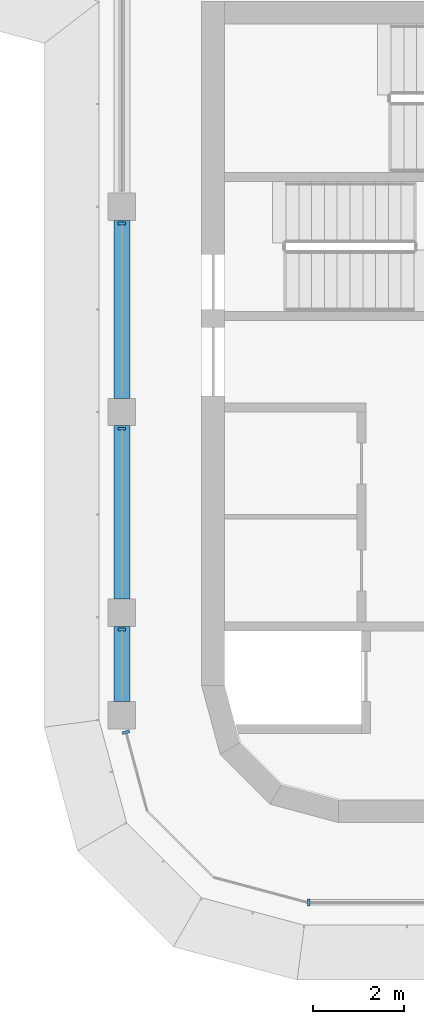
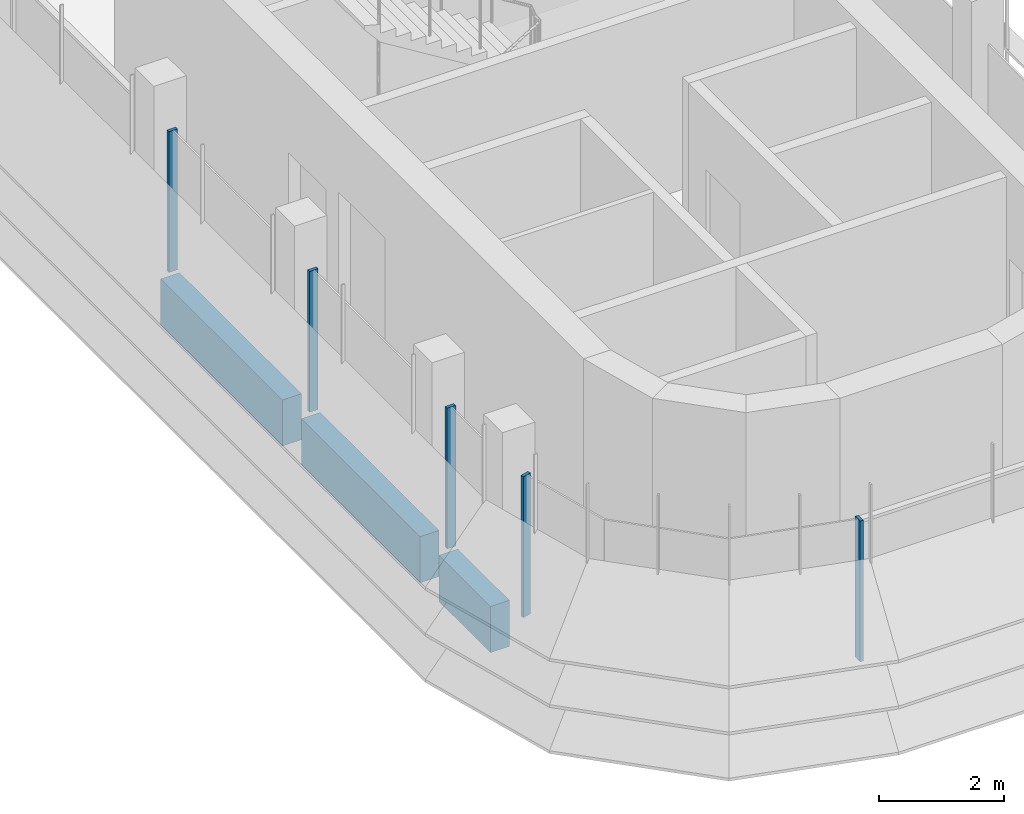
# One storey, part 2 of 19: 5 members, 3 beams, 3 elements without a shape of their own.
"""IFC4 building model written with IfcOpenShell, lengths in metres."""

from ifc_helpers import new_model, si_unit, direction, frame, origin, origin_2d, place, context, subcontext, project, spatial, polyline, rectangle, outline, extrude, source, transform, mapped, material, material_profile, profile_set, type_object, element, aggregate, save


model = new_model("IFC4")

# Units and contexts
model_context = context("Model", 3, precision=1e-05, world=origin(), true_north=direction((0.0, 1.0)))
body_context = subcontext(model_context, "Body", "Model", "MODEL_VIEW")
ifc_project = project(units=[si_unit("LENGTHUNIT", "METRE"), si_unit("AREAUNIT", "SQUARE_METRE"), si_unit("VOLUMEUNIT", "CUBIC_METRE"), si_unit("PLANEANGLEUNIT", "RADIAN"), si_unit("MASSUNIT", "GRAM", prefix="KILO")], contexts=[model_context])

# Site, building, storey
site_placement = place(None, origin())
site = spatial("IfcSite", under=ifc_project, at=site_placement, CompositionType="ELEMENT")
building_placement = place(site_placement, origin())
building = spatial("IfcBuilding", under=site, at=building_placement, Name="Zarbagh Exchange Tower", CompositionType="ELEMENT")
storey_placement = place(building_placement, frame((0.0, 0.0, 253.60009765625)))
storey = spatial("IfcBuildingStorey", under=building, at=storey_placement, Name="L62", CompositionType="ELEMENT", Elevation=253.60009765625)

# Beams
ifc_material_1 = material(Name="Concrete C40/50", Category="concrete")
ifc_material_profile = material_profile(ifc_material_1, rectangle(XDim=0.35009765625, YDim=0.89990234375, at=origin_2d()), Name="RC spandrel beam 350 x 900 C40/50")
ifc_profile_set = profile_set([ifc_material_profile], Name="Concrete C40/50")
beam_type = type_object("IfcBeamType", Name="RC spandrel beam 350 x 900 C40/50", PredefinedType="SPANDREL", material=ifc_profile_set)
beam_1_placement = place(storey_placement, frame((-6.25, -26.60009765625, -0.60009765625), z_axis=(0.0, 1.0, 0.0), x_axis=(-1.0, 0.0, 0.0)))
element("IfcBeam", 1, at=beam_1_placement, inside=storey, type_object=beam_type, Name="RC spandrel beam", PredefinedType="SPANDREL", context=body_context, shape_type="SweptSolid", body=[
    extrude(rectangle(XDim=0.35009765625, YDim=0.89990234375, at=origin_2d()), origin(), (0.0, 0.0, 1.0), 1.650146484375),
])
beam_2_placement = place(storey_placement, frame((-6.25, -24.35009765625, -0.60009765625), z_axis=(0.0, 1.0, 0.0), x_axis=(-1.0, 0.0, 0.0)))
element("IfcBeam", 2, at=beam_2_placement, inside=storey, type_object=beam_type, Name="RC spandrel beam", PredefinedType="SPANDREL", context=body_context, shape_type="SweptSolid", body=[
    extrude(rectangle(XDim=0.35009765625, YDim=0.89990234375, at=origin_2d()), origin(), (0.0, 0.0, 1.0), 3.800048828125),
])
beam_3_placement = place(storey_placement, frame((-6.25, -19.949951171875, -0.60009765625), z_axis=(0.0, 1.0, 0.0), x_axis=(-1.0, 0.0, 0.0)))
element("IfcBeam", 3, at=beam_3_placement, inside=storey, type_object=beam_type, Name="RC spandrel beam", PredefinedType="SPANDREL", context=body_context, shape_type="SweptSolid", body=[
    extrude(rectangle(XDim=0.35009765625, YDim=0.89990234375, at=origin_2d()), origin(), (0.0, 0.0, 1.0), 3.89990234375),
])

# Curtain wall, members
ifc_material_2 = material(Name="Anodised aluminium frame and glazing", Category="aluminium")
curtain_wall_type = type_object("IfcCurtainWallType", Name="CWB Ribbon glazing, upper zones", PredefinedType="NOTDEFINED", material=ifc_material_2)
curtain_wall_1_placement = place(storey_placement, origin())
curtain_wall_1 = element("IfcCurtainWall", 4, at=curtain_wall_1_placement, inside=storey, type_object=curtain_wall_type, Name="CWB53 curtain wall", PredefinedType="NOTDEFINED")
ifc_material_3 = material(Name="Anodised aluminium frame", Category="aluminium")
member_type = type_object("IfcMemberType", Name="MUB Mullion, anodised aluminium frame", PredefinedType="MULLION", material=ifc_material_3)
shared_shape = source(origin(), body_context, "Body", "SweptSolid", [
    extrude(outline(polyline([(0.0, -0.080078125), (0.06005859375, -0.080078125), (0.06005859375, 0.080078125), (0.0, 0.080078125), (0.0, -0.080078125)])), origin(), (0.0, 0.0, 1.0), 2.75),
])
placement = place(storey_placement, origin())
member_1 = element("IfcMember", 5, at=placement, type_object=member_type, Name="CWB53 mullion 2.1", PredefinedType="MULLION", context=body_context, shape_type="MappedRepresentation", body=[
    mapped(shared_shape, transform((-6.25, -16.090087890625, 0.0), x_axis=(0.0, -1.0, 0.0), y_axis=(1.0, 0.0, 0.0), z_axis=(0.0, 0.0, 1.0))),
])
member_2 = element("IfcMember", 6, at=placement, type_object=member_type, Name="CWB53 mullion 3.1", PredefinedType="MULLION", context=body_context, shape_type="MappedRepresentation", body=[
    mapped(shared_shape, transform((-6.25, -20.590087890625, 0.0), x_axis=(0.0, -1.0, 0.0), y_axis=(1.0, 0.0, 0.0), z_axis=(0.0, 0.0, 1.0))),
])
member_3 = element("IfcMember", 7, at=placement, type_object=member_type, Name="CWB53 mullion 4.1", PredefinedType="MULLION", context=body_context, shape_type="MappedRepresentation", body=[
    mapped(shared_shape, transform((-6.25, -24.989990234375, 0.0), x_axis=(0.0, -1.0, 0.0), y_axis=(1.0, 0.0, 0.0), z_axis=(0.0, 0.0, 1.0))),
])
aggregate(curtain_wall_1, [member_1, member_2, member_3])

# Curtain wall, member
curtain_wall_2_placement = place(storey_placement, origin())
curtain_wall_2 = element("IfcCurtainWall", 8, at=curtain_wall_2_placement, inside=storey, type_object=curtain_wall_type, Name="CWB54 curtain wall", PredefinedType="NOTDEFINED")
member_4 = element("IfcMember", 9, at=placement, type_object=member_type, Name="CWB54 mullion 1.1", PredefinedType="MULLION", context=body_context, shape_type="MappedRepresentation", body=[
    mapped(shared_shape, transform((-6.16796875, -27.239990234375, 0.0), x_axis=(0.258824779902, -0.965924289636, 0.0), y_axis=(0.965924289636, 0.258824779902, 0.0), z_axis=(0.0, 0.0, 1.0))),
])
aggregate(curtain_wall_2, [member_4])

curtain_wall_3_placement = place(storey_placement, origin())
curtain_wall_3 = element("IfcCurtainWall", 10, at=curtain_wall_3_placement, inside=storey, type_object=curtain_wall_type, Name="CWB57 curtain wall", PredefinedType="NOTDEFINED")
member_5 = element("IfcMember", 11, at=placement, type_object=member_type, Name="CWB57 mullion 1.1", PredefinedType="MULLION", context=body_context, shape_type="MappedRepresentation", body=[
    mapped(shared_shape, transform((-2.18408203125, -31.0, 0.0), x_axis=(1.0, 0.0, 0.0), y_axis=(0.0, 1.0, 0.0), z_axis=(0.0, 0.0, 1.0))),
])
aggregate(curtain_wall_3, [member_5])

save(model, "model.ifc")
